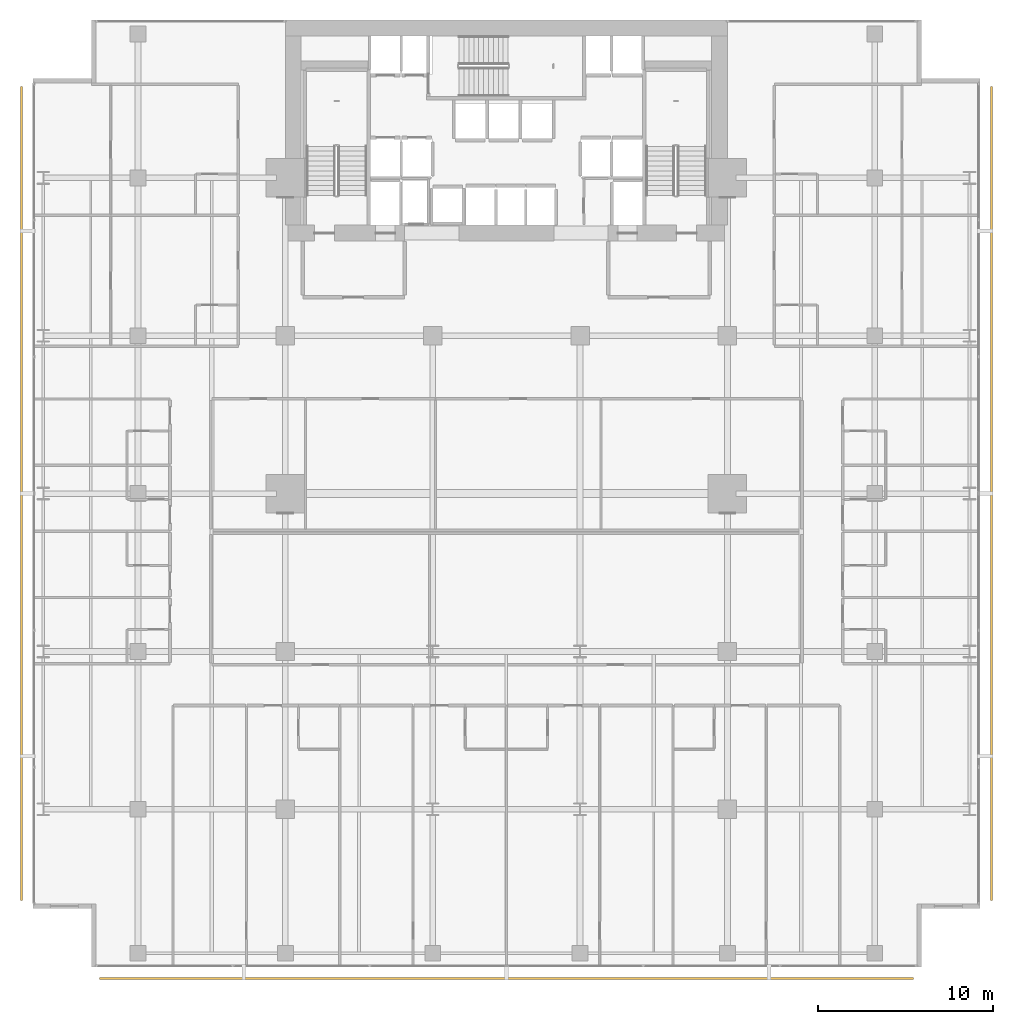
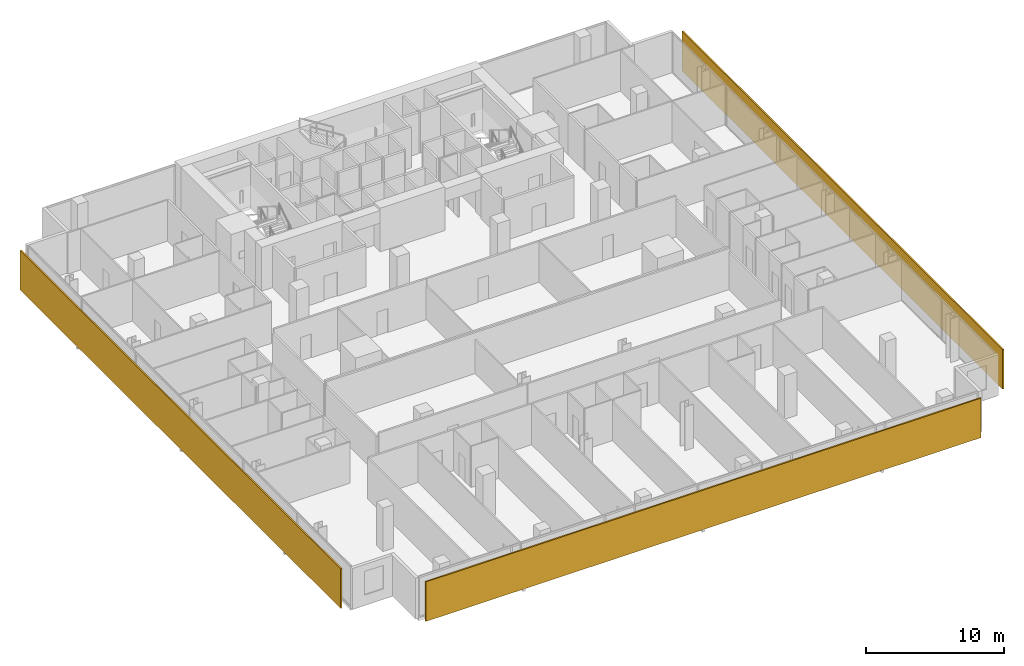
# One storey, part 39 of 40: 3 shading devices.
"""IFC4 building model written with IfcOpenShell, lengths in metres."""

from ifc_helpers import new_model, si_unit, direction, frame, origin, origin_2d, place, context, subcontext, project, spatial, rectangle, extrude, material, layer, layer_set, type_object, element, save


model = new_model("IFC4")

# Units and contexts
model_context = context("Model", 3, precision=1e-05, world=origin(), true_north=direction((0.0, 1.0)))
body_context = subcontext(model_context, "Body", "Model", "MODEL_VIEW")
ifc_project = project(units=[si_unit("LENGTHUNIT", "METRE"), si_unit("AREAUNIT", "SQUARE_METRE"), si_unit("VOLUMEUNIT", "CUBIC_METRE"), si_unit("PLANEANGLEUNIT", "RADIAN"), si_unit("MASSUNIT", "GRAM", prefix="KILO")], contexts=[model_context])

# Site, building, storey
site_placement = place(None, origin())
site = spatial("IfcSite", under=ifc_project, at=site_placement, CompositionType="ELEMENT")
building_placement = place(site_placement, origin())
building = spatial("IfcBuilding", under=site, at=building_placement, Name="Maruvema Waterfront Hotel and Observation Tower", CompositionType="ELEMENT")
storey_placement = place(building_placement, frame((0.0, 0.0, 103.949951171875)))
storey = spatial("IfcBuildingStorey", under=building, at=storey_placement, Name="L25", CompositionType="ELEMENT", Elevation=103.949951171875)

# Shading devices
ifc_material = material(Name="Honed travertine stone and anodised architectural bronze", Category="masonry")
ifc_layer = layer(ifc_material, 0.1201171875, Name="Ventilated Outer Skin Cobogo Stone-and-Bronze Screen 120 mm")
ifc_layer_set = layer_set([ifc_layer], Name="Honed travertine stone and anodised architectural bronze")
shading_device_type = type_object("IfcShadingDeviceType", Name="Ventilated Outer Skin Cobogo Stone-and-Bronze Screen 120 mm", PredefinedType="USERDEFINED", material=ifc_layer_set)
for number, where, z_axis, x_axis, name in (
    (1, (37.800048828125, -0.64990234375, 0.06005859375), (0.0, 0.0, 1.0), (1.0, 0.0, 0.0), "L25 Ventilated Double-Skin Outer Cobogo Screen OS-L25-S"),
    (2, (65.449951171875, 27.0, 0.06005859375), (0.0, 0.0, 1.0), (0.0, 1.0, 0.0), "L25 Ventilated Double-Skin Outer Cobogo Screen OS-L25-E"),
    (3, (10.14990234375, 27.0, 0.06005859375), (0.0, 0.0, 1.0), (0.0, -1.0, 0.0), "L25 Ventilated Double-Skin Outer Cobogo Screen OS-L25-W"),
):
    element("IfcShadingDevice", number, at=place(storey_placement, frame(where, z_axis=z_axis, x_axis=x_axis)), inside=storey, type_object=shading_device_type, Name=name, ObjectType="OUTER SKIN SCREEN", PredefinedType="USERDEFINED", context=body_context, shape_type="SweptSolid", body=[
        extrude(rectangle(XDim=46.39990234375, YDim=0.1201171875, at=origin_2d()), origin(), (0.0, 0.0, 1.0), 3.489990234375),
    ])

save(model, "model.ifc")
